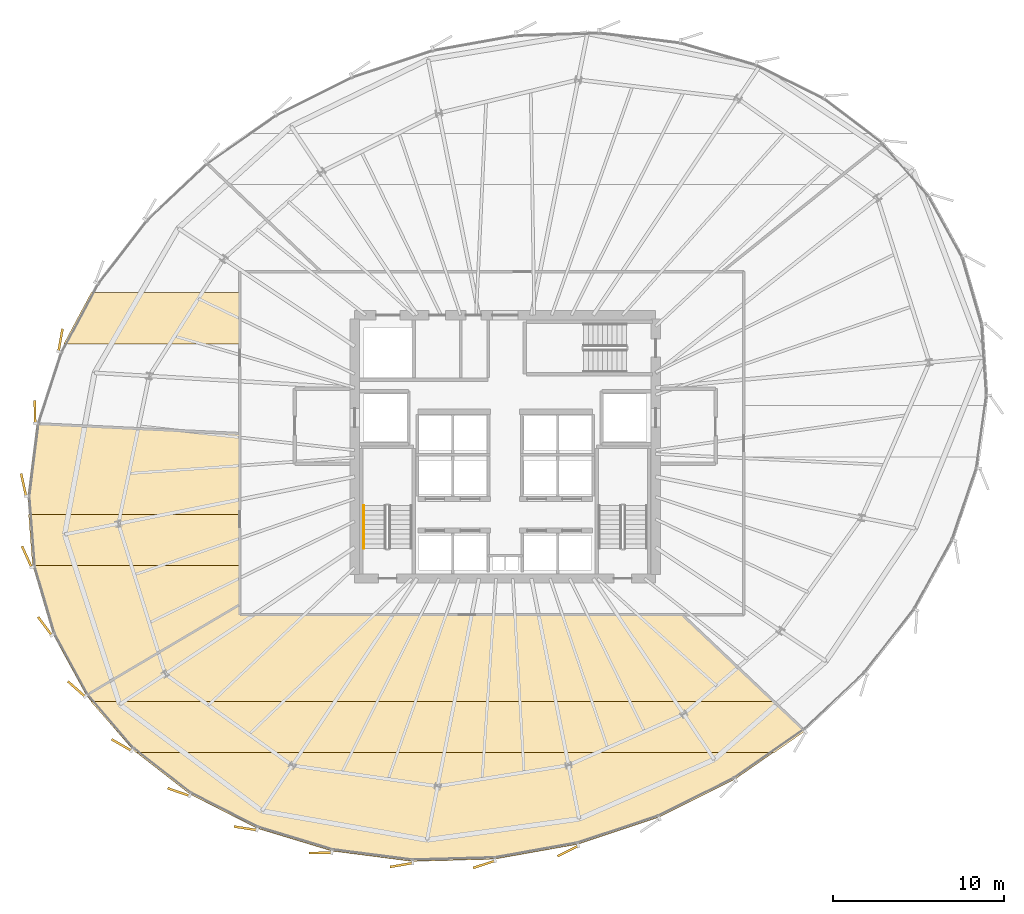
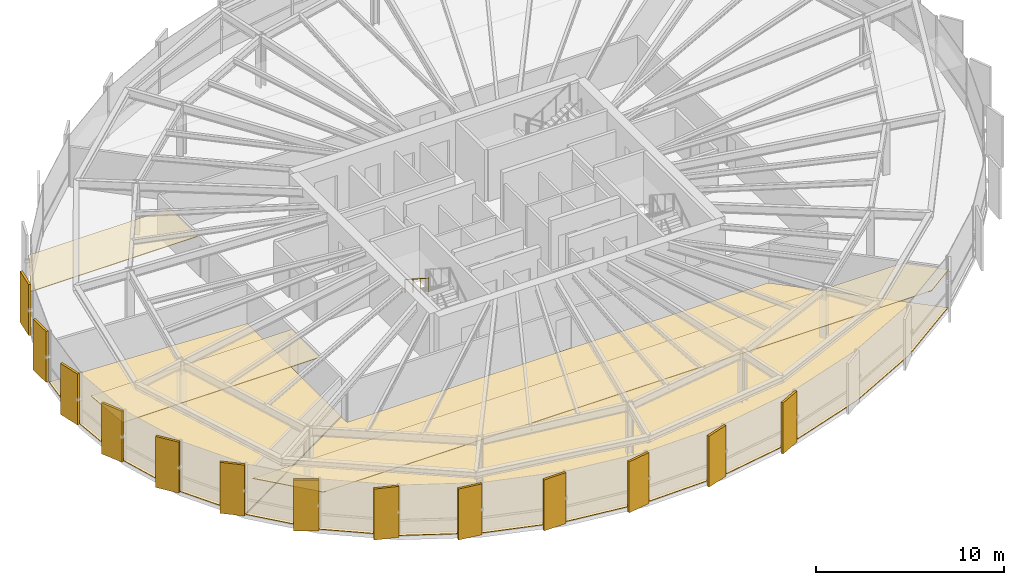
# One storey, part 31 of 34: 18 coverings, 1 railing.
"""IFC4 building model written with IfcOpenShell, lengths in metres."""

from ifc_helpers import new_model, si_unit, direction, frame, origin, origin_2d, place, context, subcontext, project, spatial, polyline, rectangle, circle, outline, extrude, source, transform, mapped, material, layer, layer_set, type_object, element, save


model = new_model("IFC4")

# Units and contexts
model_context = context("Model", 3, precision=1e-05, world=origin(), true_north=direction((0.0, 1.0)))
body_context = subcontext(model_context, "Body", "Model", "MODEL_VIEW")
ifc_project = project(units=[si_unit("LENGTHUNIT", "METRE"), si_unit("AREAUNIT", "SQUARE_METRE"), si_unit("VOLUMEUNIT", "CUBIC_METRE"), si_unit("PLANEANGLEUNIT", "RADIAN"), si_unit("MASSUNIT", "GRAM", prefix="KILO"), si_unit("THERMODYNAMICTEMPERATUREUNIT", "KELVIN")], contexts=[model_context])

# Site, building, storey
site_placement = place(None, origin())
site = spatial("IfcSite", under=ifc_project, at=site_placement, CompositionType="ELEMENT")
building_placement = place(site_placement, origin())
building = spatial("IfcBuilding", under=site, at=building_placement, Name="Kethvar Cultural Tower", CompositionType="ELEMENT")
storey_placement = place(building_placement, frame((0.0, 0.0, 125.199951171875)))
storey = spatial("IfcBuildingStorey", under=building, at=storey_placement, Name="L31", CompositionType="ELEMENT", Elevation=125.199951171875)

# Coverings
ifc_material_1 = material(Name="Acoustic Mineral Fibre Ceiling")
ifc_layer_1 = layer(ifc_material_1, 0.0400390625, Name="Acoustic Mineral Fibre Ceiling")
ifc_layer_set_1 = layer_set([ifc_layer_1], Name="Acoustic Mineral Fibre Ceiling (40 mm)")
covering_type_1 = type_object("IfcCoveringType", Name="CV-ACOUSTIC-CEIL", PredefinedType="CEILING", material=ifc_layer_set_1)
covering_1_placement = place(storey_placement, frame((0.0, 0.0, 2.449951171875)))
element("IfcCovering", 1, at=covering_1_placement, inside=storey, type_object=covering_type_1, Name="L31 Room 01 Acoustic Ceiling Panel", PredefinedType="CEILING", context=body_context, shape_type="SweptSolid", body=[
    extrude(outline(polyline([(25.183837890625, 9.928466796875), (22.559814453125, 12.91845703125), (62.510986328125, 12.91845703125), (64.333984375, 11.18017578125), (62.551025390625, 9.928466796875), (25.183837890625, 9.928466796875)])), origin(), (0.0, 0.0, 1.0), 0.0400390625),
])
covering_2_placement = place(storey_placement, frame((0.0, 0.0, 2.449951171875)))
element("IfcCovering", 2, at=covering_2_placement, inside=storey, type_object=covering_type_1, Name="L31 Room 04 Acoustic Ceiling Panel", PredefinedType="CEILING", context=body_context, shape_type="SweptSolid", body=[
    extrude(outline(polyline([(22.594970703125, 36.814697265625), (31.31005859375, 36.814697265625), (31.31005859375, 33.82470703125), (20.994873046875, 33.82470703125), (22.594970703125, 36.814697265625)])), origin(), (0.0, 0.0, 1.0), 0.0400390625),
])
covering_3_placement = place(storey_placement, frame((0.0, 0.0, 2.449951171875)))
element("IfcCovering", 3, at=covering_3_placement, inside=storey, type_object=covering_type_1, Name="L31 Room 05 Acoustic Ceiling Panel", PredefinedType="CEILING", context=body_context, shape_type="SweptSolid", body=[
    extrude(outline(polyline([(18.931884765625, 23.843994140625), (31.31005859375, 23.843994140625), (31.31005859375, 20.85400390625), (19.161865234375, 20.85400390625), (18.931884765625, 23.843994140625)])), origin(), (0.0, 0.0, 1.0), 0.0400390625),
])
ifc_material_2 = material(Name="Architectural Oak Timber", Category="wood")
ifc_layer_2 = layer(ifc_material_2, 0.02490234375, Name="Architectural Oak Timber", Category="wood")
ifc_layer_set_2 = layer_set([ifc_layer_2], Name="Architectural Oak Timber (25 mm)")
covering_type_2 = type_object("IfcCoveringType", Name="CV-OAK-FLOOR", PredefinedType="FLOORING", material=ifc_layer_set_2)
covering_4_placement = place(storey_placement, origin())
element("IfcCovering", 4, at=covering_4_placement, inside=storey, type_object=covering_type_2, Name="L31 Room 01 Floor Finish", PredefinedType="FLOORING", context=body_context, shape_type="SweptSolid", body=[
    extrude(outline(polyline([(60.234375, 8.364990234375), (55.775146484375, 6.132080078125), (51.047607421875, 4.559814453125), (46.191162109375, 3.69384765625), (41.353271484375, 3.560302734375), (36.68115234375, 4.16357421875), (32.316650390625, 5.48486328125), (28.392333984375, 7.484375), (25.027587890625, 10.1005859375), (22.33837890625, 13.238037109375), (31.27001953125, 18.54638671875), (31.2900390625, 17.9599609375), (57.14013671875, 17.9599609375), (64.282470703125, 11.18212890625), (60.234375, 8.364990234375)])), origin(), (0.0, 0.0, 1.0), 0.025146484375),
])
covering_5_placement = place(storey_placement, origin())
element("IfcCovering", 5, at=covering_5_placement, inside=storey, type_object=covering_type_2, Name="L31 Room 05 Floor Finish", PredefinedType="FLOORING", context=body_context, shape_type="SweptSolid", body=[
    extrude(outline(polyline([(20.364501953125, 16.85009765625), (19.2080078125, 20.7783203125), (18.88916015625, 24.919921875), (19.416259765625, 29.1328125), (31.27001953125, 28.547119140625), (31.27001953125, 18.593017578125), (22.3154296875, 13.27099609375), (20.364501953125, 16.85009765625)])), origin(), (0.0, 0.0, 1.0), 0.025146484375),
])

# Railing
ifc_material_3 = material(Name="Steel S355J2", Category="steel")
railing_type = type_object("IfcRailingType", Name="RL-STAIR-HANDRAIL", PredefinedType="HANDRAIL", material=ifc_material_3)
railing_placement = place(storey_placement, frame((38.5400390625, 24.3701171875, 1.97998046875)))
element("IfcRailing", 6, at=railing_placement, inside=storey, type_object=railing_type, Name="L31 ST-01 stair handrail 2", PredefinedType="HANDRAIL", context=body_context, shape_type="SweptSolid", body=[
    extrude(circle(Radius=0.02392578125, at=origin_2d()), frame((0.0, 0.0, 0.8759765625), z_axis=(0.0, -0.841162588446, 0.540782303519), x_axis=(1.0, 0.0, 0.0)), (0.0, 0.0, 1.0), 2.995849609375),
    extrude(circle(Radius=0.02099609375, at=origin_2d()), origin(), (0.0, 0.0, 1.0), 0.851806640625),
    extrude(circle(Radius=0.02099609375, at=origin_2d()), frame((0.0, -0.840087890625, 0.5400390625)), (0.0, 0.0, 1.0), 0.851806640625),
    extrude(circle(Radius=0.02099609375, at=origin_2d()), frame((0.0, -1.679931640625, 1.080078125)), (0.0, 0.0, 1.0), 0.851806640625),
    extrude(circle(Radius=0.02099609375, at=origin_2d()), frame((0.0, -2.52001953125, 1.6201171875)), (0.0, 0.0, 1.0), 0.851806640625),
])

# Coverings
ifc_material_4 = material(Name="Extruded Architectural Terracotta", Category="masonry")
ifc_layer_3 = layer(ifc_material_4, 0.135009765625, Name="Extruded Architectural Terracotta", Category="masonry")
ifc_layer_set_3 = layer_set([ifc_layer_3], Name="Extruded Architectural Terracotta (135 mm)")
covering_type_3 = type_object("IfcCoveringType", Name="Terracotta Facade Fin FIN-02", PredefinedType="CLADDING", material=ifc_layer_set_3)
shared_shape = source(origin(), body_context, "Body", "SweptSolid", [
    extrude(rectangle(XDim=1.35009765625, YDim=0.135009765625, at=origin_2d()), origin(), (0.0, 0.0, 1.0), 3.31005859375),
])
for number, where, z_axis, x_axis, name in (
    (7, (20.80224609375, 34.03515625, 0.02001953125), (0.0, 0.0, 1.0), (0.173648177667, 0.984807753012, 0.0), "L31 Vertical Terracotta Fin 3.3"),
    (8, (19.30908203125, 29.83837890625, 0.02001953125), (0.0, 0.0, 1.0), (-0.015183781002, 0.999884719752, 0.0), "L31 Vertical Terracotta Fin 3.4"),
    (9, (18.644287109375, 25.573486328125, 0.02001953125), (0.0, 0.0, 1.0), (-0.214735327167, 0.976672278334, 0.0), "L31 Vertical Terracotta Fin 3.5"),
    (10, (18.83251953125, 21.36669921875, 0.02001953125), (0.0, 0.0, 1.0), (-0.413263367815, 0.910611546611, 0.0), "L31 Vertical Terracotta Fin 3.6"),
    (11, (19.89208984375, 17.311767578125, 0.02001953125), (0.0, 0.0, 1.0), (-0.596084747803, 0.802921523834, 0.0), "L31 Vertical Terracotta Fin 4.1"),
    (12, (21.74072265625, 13.637451171875, 0.02001953125), (0.0, 0.0, 1.0), (-0.75011106963, 0.661311865324, 0.0), "L31 Vertical Terracotta Fin 4.2"),
    (13, (24.37939453125, 10.359130859375, 0.02001953125), (0.0, 0.0, 1.0), (-0.867157637662, 0.498033765367, 0.0), "L31 Vertical Terracotta Fin 4.3"),
    (14, (27.70703125, 7.61572265625, 0.02001953125), (0.0, 0.0, 1.0), (-0.945518575599, 0.325568154457, 0.0), "L31 Vertical Terracotta Fin 4.4"),
    (15, (31.618896484375, 5.493408203125, 0.02001953125), (0.0, 0.0, 1.0), (-0.988121336368, 0.153675712507, 0.0), "L31 Vertical Terracotta Fin 4.5"),
    (16, (35.99169921875, 4.05712890625, 0.02001953125), (0.0, 0.0, 1.0), (-0.999937615001, -0.011169874929, 0.0), "L31 Vertical Terracotta Fin 4.6"),
    (17, (40.727783203125, 3.34912109375, 0.02001953125), (0.0, 0.0, 1.0), (-0.986054190273, -0.166424559018, 0.0), "L31 Vertical Terracotta Fin 5.1"),
    (18, (45.565673828125, 3.38525390625, 0.02001953125), (0.0, 0.0, 1.0), (-0.950461493885, -0.310842321189, 0.0), "L31 Vertical Terracotta Fin 5.2"),
    (19, (50.47314453125, 4.164306640625, 0.02001953125), (0.0, 0.0, 1.0), (-0.895711760239, -0.444635179185, 0.0), "L31 Vertical Terracotta Fin 5.3"),
):
    element("IfcCovering", number, at=place(storey_placement, frame(where, z_axis=z_axis, x_axis=x_axis)), inside=storey, type_object=covering_type_3, Name=name, PredefinedType="CLADDING", context=body_context, shape_type="MappedRepresentation", body=[
        mapped(shared_shape, transform((0.0, 0.0, 0.0), scale=1.0)),
    ])

save(model, "model.ifc")
